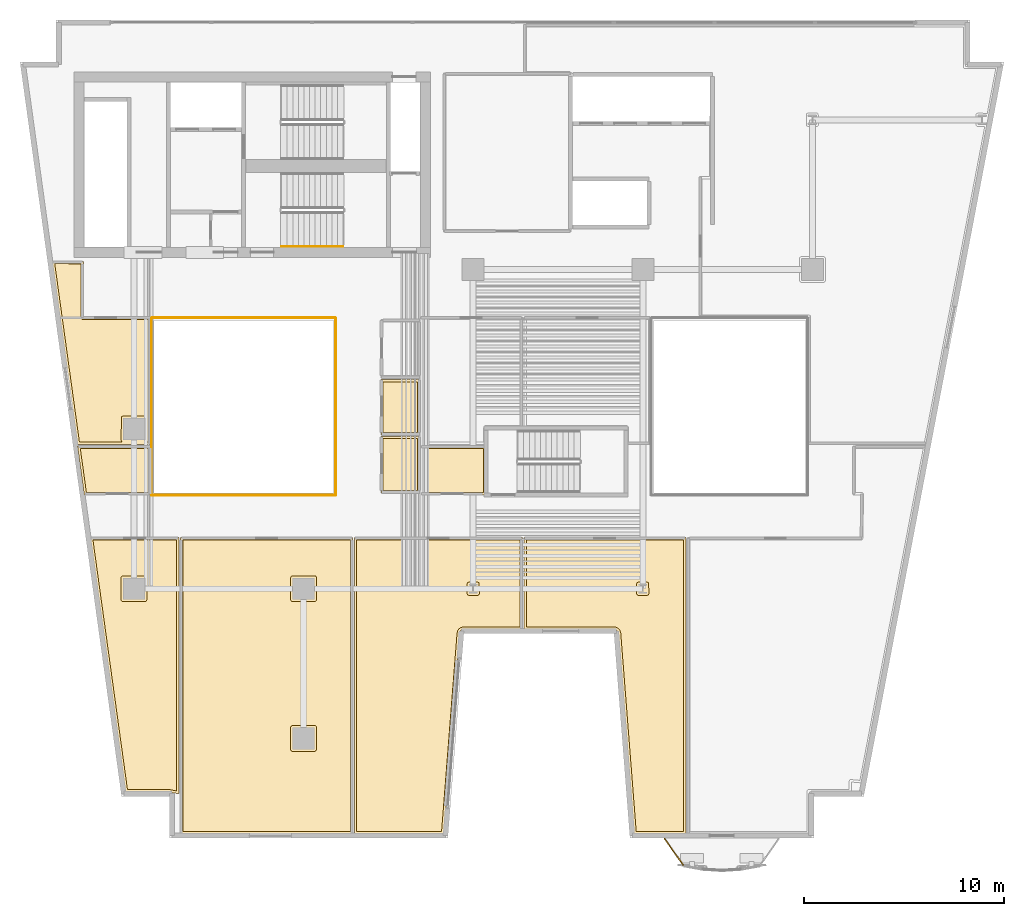
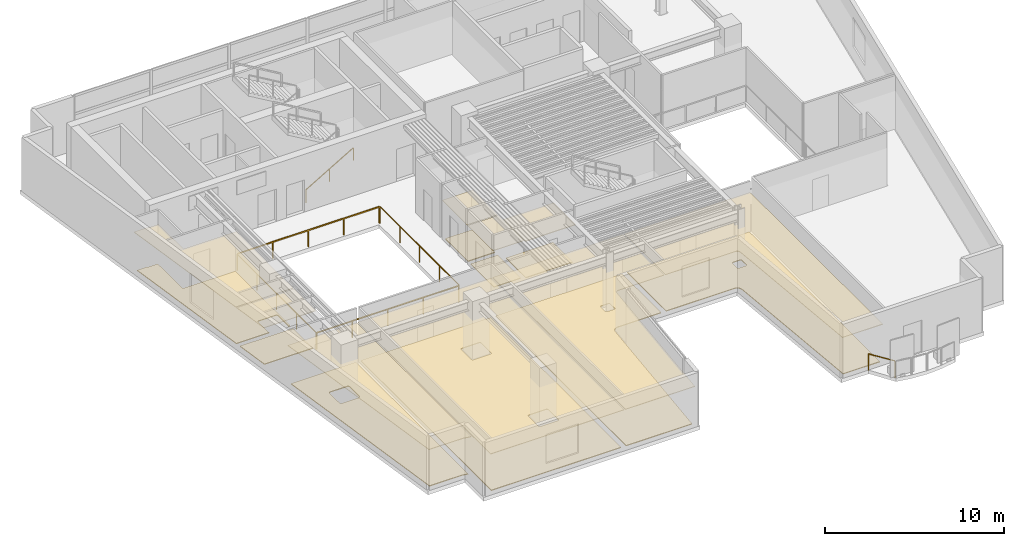
# One storey, part 9 of 12: 18 coverings, 6 railings.
"""IFC4 building model written with IfcOpenShell, lengths in metres."""

from ifc_helpers import new_model, si_unit, direction, frame, origin, origin_2d, place, context, subcontext, project, spatial, polyline, rectangle, outline, extrude, material, layer, layer_set, type_object, element, save


model = new_model("IFC4")

# Units and contexts
model_context = context("Model", 3, precision=1e-05, world=origin(), true_north=direction((0.0, 1.0)))
body_context = subcontext(model_context, "Body", "Model", "MODEL_VIEW")
ifc_project = project(units=[si_unit("LENGTHUNIT", "METRE"), si_unit("AREAUNIT", "SQUARE_METRE"), si_unit("VOLUMEUNIT", "CUBIC_METRE"), si_unit("PLANEANGLEUNIT", "RADIAN"), si_unit("MASSUNIT", "GRAM", prefix="KILO")], contexts=[model_context])

# Site, building, storey
site_placement = place(None, origin())
site = spatial("IfcSite", under=ifc_project, at=site_placement, CompositionType="ELEMENT")
building_placement = place(site_placement, origin())
building = spatial("IfcBuilding", under=site, at=building_placement, Name="Caeloran Harvest Quay", CompositionType="ELEMENT")
storey_placement = place(building_placement, frame((0.0, 0.0, 154.85009765625)))
storey = spatial("IfcBuildingStorey", under=building, at=storey_placement, Name="L36", CompositionType="ELEMENT", Elevation=154.85009765625)

# Coverings
ifc_material_1 = material(Name="Perforated Mineral-Fibre Acoustic Ceiling Tile", Category="ceiling")
ifc_layer_1 = layer(ifc_material_1, 0.0400390625, Name="Perforated Mineral-Fibre Acoustic Ceiling Tile")
ifc_layer_set_1 = layer_set([ifc_layer_1], Name="Perforated Mineral-Fibre Acoustic Ceiling Tile")
covering_type_1 = type_object("IfcCoveringType", Name="COV-CEILING-ACOUSTIC", PredefinedType="CEILING", material=ifc_layer_set_1)
covering_1_placement = place(storey_placement, frame((0.0, 0.0, 2.599853515625)))
element("IfcCovering", 1, at=covering_1_placement, inside=storey, type_object=covering_type_1, Name="L36 Female Washroom WC Acoustic Ceiling", PredefinedType="CEILING", context=body_context, shape_type="SweptSolid", body=[
    extrude(outline(polyline([(22.840087890625, 22.7099609375), (20.8701171875, 22.7099609375), (20.8701171875, 25.489990234375), (22.840087890625, 25.489990234375), (22.840087890625, 22.7099609375)])), origin(), (0.0, 0.0, 1.0), 0.0400390625),
])
covering_2_placement = place(storey_placement, frame((0.0, 0.0, 2.599853515625)))
element("IfcCovering", 2, at=covering_2_placement, inside=storey, type_object=covering_type_1, Name="L36 Accessible Unisex Washroom WC Acoustic Ceiling", PredefinedType="CEILING", context=body_context, shape_type="SweptSolid", body=[
    extrude(outline(polyline([(22.840087890625, 19.81005859375), (20.8701171875, 19.81005859375), (20.8701171875, 22.639892578125), (22.840087890625, 22.639892578125), (22.840087890625, 19.81005859375)])), origin(), (0.0, 0.0, 1.0), 0.0400390625),
])
covering_3_placement = place(storey_placement, frame((0.0, 0.0, 2.599853515625)))
element("IfcCovering", 3, at=covering_3_placement, inside=storey, type_object=covering_type_1, Name="Supply-Chain Digital Trading Floor Office Acoustic Ceiling", PredefinedType="CEILING", context=body_context, shape_type="SweptSolid", body=[
    extrude(outline(polyline([(19.4599609375, 2.719970703125), (10.840087890625, 2.719970703125), (10.840087890625, 17.56005859375), (19.4599609375, 17.56005859375), (19.4599609375, 2.719970703125)])), origin(), (0.0, 0.0, 1.0), 0.0400390625),
])
covering_4_placement = place(storey_placement, frame((0.0, 0.0, 2.599853515625)))
element("IfcCovering", 4, at=covering_4_placement, inside=storey, type_object=covering_type_1, Name="Climate Risk Modelling Office Acoustic Ceiling", PredefinedType="CEILING", context=body_context, shape_type="SweptSolid", body=[
    extrude(outline(polyline([(24.986572265625, 12.965576171875), (24.925048828125, 12.943359375), (24.8583984375, 12.887451171875), (24.810546875, 12.76611328125), (24.026611328125, 2.719970703125), (19.5400390625, 2.719970703125), (19.5400390625, 17.56005859375), (27.9599609375, 17.56005859375), (27.9599609375, 12.969970703125), (24.986572265625, 12.965576171875)])), origin(), (0.0, 0.0, 1.0), 0.0400390625),
])
covering_5_placement = place(storey_placement, frame((0.0, 0.0, 2.599853515625)))
element("IfcCovering", 5, at=covering_5_placement, inside=storey, type_object=covering_type_1, Name="Quantitative Analytics Office Acoustic Ceiling", PredefinedType="CEILING", context=body_context, shape_type="SweptSolid", body=[
    extrude(outline(polyline([(10.333740234375, 4.810546875), (8.0712890625, 4.820068359375), (6.309326171875, 17.56005859375), (10.760009765625, 17.56005859375), (10.760009765625, 4.729248046875), (10.390380859375, 4.783935546875), (10.333740234375, 4.810546875)])), origin(), (0.0, 0.0, 1.0), 0.0400390625),
])
covering_6_placement = place(storey_placement, frame((0.0, 0.0, 2.599853515625)))
element("IfcCovering", 6, at=covering_6_placement, inside=storey, type_object=covering_type_1, Name="Video-Conference Boardroom Acoustic Ceiling", PredefinedType="CEILING", context=body_context, shape_type="SweptSolid", body=[
    extrude(outline(polyline([(32.771484375, 12.788818359375), (32.739501953125, 12.86962890625), (32.696044921875, 12.918701171875), (32.61962890625, 12.960205078125), (32.553955078125, 12.969970703125), (28.0400390625, 12.969970703125), (28.0400390625, 17.56005859375), (36.159912109375, 17.56005859375), (36.159912109375, 2.719970703125), (33.55859375, 2.719970703125), (32.771484375, 12.788818359375)])), origin(), (0.0, 0.0, 1.0), 0.0400390625),
])
covering_7_placement = place(storey_placement, frame((0.0, 0.0, 2.599853515625)))
element("IfcCovering", 7, at=covering_7_placement, inside=storey, type_object=covering_type_1, Name="Executive Briefing Conference Room Acoustic Ceiling", PredefinedType="CEILING", context=body_context, shape_type="SweptSolid", body=[
    extrude(outline(polyline([(26.139892578125, 22.159912109375), (26.139892578125, 19.7099609375), (22.8701171875, 19.7099609375), (22.8701171875, 22.159912109375), (26.139892578125, 22.159912109375)])), origin(), (0.0, 0.0, 1.0), 0.0400390625),
])
covering_8_placement = place(storey_placement, frame((0.0, 0.0, 2.599853515625)))
element("IfcCovering", 8, at=covering_8_placement, inside=storey, type_object=covering_type_1, Name="Breakout Dining Kitchen Acoustic Ceiling", PredefinedType="CEILING", context=body_context, shape_type="SweptSolid", body=[
    extrude(outline(polyline([(5.67333984375, 22.159912109375), (9.360107421875, 22.159912109375), (9.360107421875, 19.7099609375), (6.01220703125, 19.7099609375), (5.67333984375, 22.159912109375)])), origin(), (0.0, 0.0, 1.0), 0.0400390625),
])
covering_9_placement = place(storey_placement, frame((0.0, 0.0, 2.599853515625)))
element("IfcCovering", 9, at=covering_9_placement, inside=storey, type_object=covering_type_1, Name="Climate Risk Modelling Office 10 Acoustic Ceiling", PredefinedType="CEILING", context=body_context, shape_type="SweptSolid", body=[
    extrude(outline(polyline([(5.9599609375, 31.389892578125), (5.9599609375, 28.610107421875), (9.360107421875, 28.610107421875), (9.360107421875, 22.239990234375), (5.662109375, 22.239990234375), (4.391357421875, 31.429931640625), (5.214599609375, 31.429931640625), (5.260009765625, 31.408447265625), (5.260009765625, 31.389892578125), (5.9599609375, 31.389892578125)])), origin(), (0.0, 0.0, 1.0), 0.0400390625),
])
ifc_material_2 = material(Name="Calcium-Sulphate Raised Access Floor and Terrazzo Finish", Category="flooring")
ifc_layer_2 = layer(ifc_material_2, 0.050048828125, Name="Calcium-Sulphate Raised Access Floor and Terrazzo Finish")
ifc_layer_set_2 = layer_set([ifc_layer_2], Name="Calcium-Sulphate Raised Access Floor and Terrazzo Finish")
covering_type_2 = type_object("IfcCoveringType", Name="COV-FLOOR-RAISED", PredefinedType="FLOORING", material=ifc_layer_set_2)
covering_10_placement = place(storey_placement, origin())
element("IfcCovering", 10, at=covering_10_placement, inside=storey, type_object=covering_type_2, Name="L36 Female Washroom WC Raised Finish Flooring", PredefinedType="FLOORING", context=body_context, shape_type="SweptSolid", body=[
    extrude(outline(polyline([(22.719970703125, 22.830078125), (20.989990234375, 22.830078125), (20.989990234375, 25.3701171875), (22.719970703125, 25.3701171875), (22.719970703125, 22.830078125)])), origin(), (0.0, 0.0, 1.0), 0.0498046875),
])
covering_11_placement = place(storey_placement, origin())
element("IfcCovering", 11, at=covering_11_placement, inside=storey, type_object=covering_type_2, Name="L36 Accessible Unisex Washroom WC Raised Finish Flooring", PredefinedType="FLOORING", context=body_context, shape_type="SweptSolid", body=[
    extrude(outline(polyline([(22.719970703125, 19.929931640625), (20.989990234375, 19.929931640625), (20.989990234375, 22.52001953125), (22.719970703125, 22.52001953125), (22.719970703125, 19.929931640625)])), origin(), (0.0, 0.0, 1.0), 0.0498046875),
])
covering_12_placement = place(storey_placement, origin())
element("IfcCovering", 12, at=covering_12_placement, inside=storey, type_object=covering_type_2, Name="Supply-Chain Digital Trading Floor Office Raised Finish Flooring", PredefinedType="FLOORING", context=body_context, shape_type="SweptSolid", body=[
    extrude(outline(polyline([(10.9599609375, 17.43994140625), (19.340087890625, 17.43994140625), (19.340087890625, 2.840087890625), (10.9599609375, 2.840087890625), (10.9599609375, 17.43994140625)]), holes=[polyline([(16.43505859375, 8.14501953125), (16.37841796875, 8.12158203125), (16.35498046875, 8.06494140625), (16.35498046875, 6.93505859375), (16.37841796875, 6.87841796875), (16.43505859375, 6.85498046875), (17.56494140625, 6.85498046875), (17.62158203125, 6.87841796875), (17.64501953125, 6.93505859375), (17.64501953125, 8.06494140625), (17.62158203125, 8.12158203125), (17.56494140625, 8.14501953125), (16.43505859375, 8.14501953125)]), polyline([(16.43505859375, 15.64501953125), (16.37841796875, 15.62158203125), (16.35498046875, 15.56494140625), (16.35498046875, 14.43505859375), (16.37841796875, 14.37841796875), (16.43505859375, 14.35498046875), (17.56494140625, 14.35498046875), (17.62158203125, 14.37841796875), (17.64501953125, 14.43505859375), (17.64501953125, 15.56494140625), (17.62158203125, 15.62158203125), (17.56494140625, 15.64501953125), (16.43505859375, 15.64501953125)])]), origin(), (0.0, 0.0, 1.0), 0.0498046875),
])
covering_13_placement = place(storey_placement, origin())
element("IfcCovering", 13, at=covering_13_placement, inside=storey, type_object=covering_type_2, Name="Climate Risk Modelling Office Raised Finish Flooring", PredefinedType="FLOORING", context=body_context, shape_type="SweptSolid", body=[
    extrude(outline(polyline([(25.000244140625, 13.088623046875), (24.89453125, 13.061767578125), (24.789794921875, 12.990478515625), (24.72607421875, 12.902099609375), (24.69140625, 12.780517578125), (23.91552734375, 2.840087890625), (19.659912109375, 2.840087890625), (19.659912109375, 17.43994140625), (27.840087890625, 17.43994140625), (27.840087890625, 13.090087890625), (25.000244140625, 13.088623046875)]), holes=[polyline([(25.806884765625, 14.748046875), (25.788818359375, 15.302734375), (25.73486328125, 15.33154296875), (25.27294921875, 15.33203125), (25.21630859375, 15.30859375), (25.193115234375, 15.251953125), (25.193115234375, 14.748046875), (25.21630859375, 14.69140625), (25.27294921875, 14.66796875), (25.72705078125, 14.66796875), (25.78369140625, 14.69140625), (25.806884765625, 14.748046875)])]), origin(), (0.0, 0.0, 1.0), 0.0498046875),
])
covering_14_placement = place(storey_placement, origin())
element("IfcCovering", 14, at=covering_14_placement, inside=storey, type_object=covering_type_2, Name="Quantitative Analytics Office Raised Finish Flooring", PredefinedType="FLOORING", context=body_context, shape_type="SweptSolid", body=[
    extrude(outline(polyline([(10.639892578125, 4.868408203125), (10.27001953125, 4.93994140625), (8.17578125, 4.93994140625), (6.447021484375, 17.43994140625), (10.639892578125, 17.43994140625), (10.639892578125, 4.868408203125)]), holes=[polyline([(7.93505859375, 15.64501953125), (7.87841796875, 15.62158203125), (7.85498046875, 15.56494140625), (7.85498046875, 14.43505859375), (7.87841796875, 14.37841796875), (7.93505859375, 14.35498046875), (9.06494140625, 14.35498046875), (9.12158203125, 14.37841796875), (9.14501953125, 14.43505859375), (9.14501953125, 15.56494140625), (9.12158203125, 15.62158203125), (9.06494140625, 15.64501953125), (7.93505859375, 15.64501953125)])]), origin(), (0.0, 0.0, 1.0), 0.0498046875),
])
covering_15_placement = place(storey_placement, origin())
element("IfcCovering", 15, at=covering_15_placement, inside=storey, type_object=covering_type_2, Name="Video-Conference Boardroom Raised Finish Flooring", PredefinedType="FLOORING", context=body_context, shape_type="SweptSolid", body=[
    extrude(outline(polyline([(32.89404296875, 12.776611328125), (32.85888671875, 12.902099609375), (32.795166015625, 12.990478515625), (32.6904296875, 13.061767578125), (32.584716796875, 13.088623046875), (28.159912109375, 13.090087890625), (28.159912109375, 17.43994140625), (36.0400390625, 17.43994140625), (36.0400390625, 2.840087890625), (33.66943359375, 2.840087890625), (32.89404296875, 12.776611328125)]), holes=[polyline([(34.306884765625, 14.748046875), (34.288818359375, 15.302734375), (34.23486328125, 15.33154296875), (33.77294921875, 15.33203125), (33.71630859375, 15.30859375), (33.693115234375, 15.251953125), (33.693115234375, 14.748046875), (33.71630859375, 14.69140625), (33.77294921875, 14.66796875), (34.22705078125, 14.66796875), (34.28369140625, 14.69140625), (34.306884765625, 14.748046875)])]), origin(), (0.0, 0.0, 1.0), 0.0498046875),
])
covering_16_placement = place(storey_placement, origin())
element("IfcCovering", 16, at=covering_16_placement, inside=storey, type_object=covering_type_2, Name="Executive Briefing Conference Room Raised Finish Flooring", PredefinedType="FLOORING", context=body_context, shape_type="SweptSolid", body=[
    extrude(outline(polyline([(26.02001953125, 22.0400390625), (26.02001953125, 19.830078125), (22.989990234375, 19.830078125), (22.989990234375, 22.0400390625), (26.02001953125, 22.0400390625)])), origin(), (0.0, 0.0, 1.0), 0.0498046875),
])
covering_17_placement = place(storey_placement, origin())
element("IfcCovering", 17, at=covering_17_placement, inside=storey, type_object=covering_type_2, Name="Breakout Dining Kitchen Raised Finish Flooring", PredefinedType="FLOORING", context=body_context, shape_type="SweptSolid", body=[
    extrude(outline(polyline([(5.81103515625, 22.0400390625), (9.239990234375, 22.0400390625), (9.239990234375, 19.830078125), (6.11669921875, 19.830078125), (5.81103515625, 22.0400390625)])), origin(), (0.0, 0.0, 1.0), 0.0498046875),
])
covering_18_placement = place(storey_placement, origin())
element("IfcCovering", 18, at=covering_18_placement, inside=storey, type_object=covering_type_2, Name="Climate Risk Modelling Office 10 Raised Finish Flooring", PredefinedType="FLOORING", context=body_context, shape_type="SweptSolid", body=[
    extrude(outline(polyline([(5.165283203125, 31.31005859375), (5.2431640625, 31.270263671875), (5.840087890625, 31.27001953125), (5.840087890625, 28.60009765625), (5.8857421875, 28.5107421875), (5.949951171875, 28.489990234375), (9.239990234375, 28.489990234375), (9.239990234375, 22.360107421875), (9.092529296875, 22.360107421875), (9.14501953125, 22.43505859375), (9.14501953125, 23.56494140625), (9.12158203125, 23.62158203125), (9.06494140625, 23.64501953125), (7.93505859375, 23.64501953125), (7.873291015625, 23.61572265625), (7.85498046875, 22.43505859375), (7.907470703125, 22.360107421875), (5.7666015625, 22.360107421875), (4.529052734375, 31.31005859375), (5.165283203125, 31.31005859375)])), origin(), (0.0, 0.0, 1.0), 0.0498046875),
])

# Railings
ifc_material_3 = material(Name="Powder-Coated Steel Post and Laminated Glass Guardrail", Category="steel")
ifc_layer_3 = layer(ifc_material_3, 0.06005859375, Name="Powder-Coated Steel Post and Laminated Glass Guardrail")
ifc_layer_set_3 = layer_set([ifc_layer_3], Name="Powder-Coated Steel Post and Laminated Glass Guardrail")
railing_type_1 = type_object("IfcRailingType", Name="GUARD-ATRIUM-1150", PredefinedType="GUARDRAIL", material=ifc_layer_set_3)
railing_1_placement = place(storey_placement, frame((9.412109375, 19.679931640625, 0.0)))
element("IfcRailing", 19, at=railing_1_placement, inside=storey, type_object=railing_type_1, Name="L36 Skylit Atrium Void Perimeter Guardrail Seg 1", PredefinedType="GUARDRAIL", context=body_context, shape_type="SweptSolid", body=[
    extrude(rectangle(XDim=0.048095703125, YDim=0.048095703125, at=origin_2d()), frame((0.0, 0.0, 1.1259765625), z_axis=(1.0, 0.0, 0.0), x_axis=(0.0, 1.0, 0.0)), (0.0, 0.0, 1.0), 9.17578125),
    extrude(rectangle(XDim=0.0419921875, YDim=0.0419921875, at=origin_2d()), origin(), (0.0, 0.0, 1.0), 1.101806640625),
    extrude(rectangle(XDim=0.0419921875, YDim=0.0419921875, at=origin_2d()), frame((2.2939453125, 0.0, 0.0)), (0.0, 0.0, 1.0), 1.101806640625),
    extrude(rectangle(XDim=0.0419921875, YDim=0.0419921875, at=origin_2d()), frame((4.587890625, 0.0, 0.0)), (0.0, 0.0, 1.0), 1.101806640625),
    extrude(rectangle(XDim=0.0419921875, YDim=0.0419921875, at=origin_2d()), frame((6.8818359375, 0.0, 0.0)), (0.0, 0.0, 1.0), 1.101806640625),
    extrude(rectangle(XDim=0.0419921875, YDim=0.0419921875, at=origin_2d()), frame((9.17578125, 0.0, 0.0)), (0.0, 0.0, 1.0), 1.101806640625),
])
railing_2_placement = place(storey_placement, frame((18.6201171875, 19.7119140625, 0.0)))
element("IfcRailing", 20, at=railing_2_placement, inside=storey, type_object=railing_type_1, Name="L36 Skylit Atrium Void Perimeter Guardrail Seg 2", PredefinedType="GUARDRAIL", context=body_context, shape_type="SweptSolid", body=[
    extrude(rectangle(XDim=0.048095703125, YDim=0.048095703125, at=origin_2d()), frame((0.0, 0.0, 1.1259765625), z_axis=(0.0, 1.0, 0.0), x_axis=(-1.0, 0.0, 0.0)), (0.0, 0.0, 1.0), 8.826171875),
    extrude(rectangle(XDim=0.0419921875, YDim=0.0419921875, at=origin_2d()), origin(), (0.0, 0.0, 1.0), 1.101806640625),
    extrude(rectangle(XDim=0.0419921875, YDim=0.0419921875, at=origin_2d()), frame((0.0, 2.20654296875, 0.0)), (0.0, 0.0, 1.0), 1.101806640625),
    extrude(rectangle(XDim=0.0419921875, YDim=0.0419921875, at=origin_2d()), frame((0.0, 4.4130859375, 0.0)), (0.0, 0.0, 1.0), 1.101806640625),
    extrude(rectangle(XDim=0.0419921875, YDim=0.0419921875, at=origin_2d()), frame((0.0, 6.61962890625, 0.0)), (0.0, 0.0, 1.0), 1.101806640625),
    extrude(rectangle(XDim=0.0419921875, YDim=0.0419921875, at=origin_2d()), frame((0.0, 8.826171875, 0.0)), (0.0, 0.0, 1.0), 1.101806640625),
])
railing_3_placement = place(storey_placement, frame((18.587890625, 28.570068359375, 0.0)))
element("IfcRailing", 21, at=railing_3_placement, inside=storey, type_object=railing_type_1, Name="L36 Skylit Atrium Void Perimeter Guardrail Seg 3", PredefinedType="GUARDRAIL", context=body_context, shape_type="SweptSolid", body=[
    extrude(rectangle(XDim=0.048095703125, YDim=0.048095703125, at=origin_2d()), frame((0.0, 0.0, 1.1259765625), z_axis=(-1.0, 0.0, 0.0), x_axis=(0.0, -1.0, 0.0)), (0.0, 0.0, 1.0), 9.17578125),
    extrude(rectangle(XDim=0.0419921875, YDim=0.0419921875, at=origin_2d()), origin(), (0.0, 0.0, 1.0), 1.101806640625),
    extrude(rectangle(XDim=0.0419921875, YDim=0.0419921875, at=origin_2d()), frame((-2.2939453125, 0.0, 0.0)), (0.0, 0.0, 1.0), 1.101806640625),
    extrude(rectangle(XDim=0.0419921875, YDim=0.0419921875, at=origin_2d()), frame((-4.587890625, 0.0, 0.0)), (0.0, 0.0, 1.0), 1.101806640625),
    extrude(rectangle(XDim=0.0419921875, YDim=0.0419921875, at=origin_2d()), frame((-6.8818359375, 0.0, 0.0)), (0.0, 0.0, 1.0), 1.101806640625),
    extrude(rectangle(XDim=0.0419921875, YDim=0.0419921875, at=origin_2d()), frame((-9.17578125, 0.0, 0.0)), (0.0, 0.0, 1.0), 1.101806640625),
])
railing_4_placement = place(storey_placement, frame((9.3798828125, 28.5380859375, 0.0)))
element("IfcRailing", 22, at=railing_4_placement, inside=storey, type_object=railing_type_1, Name="L36 Skylit Atrium Void Perimeter Guardrail Seg 4", PredefinedType="GUARDRAIL", context=body_context, shape_type="SweptSolid", body=[
    extrude(rectangle(XDim=0.048095703125, YDim=0.048095703125, at=origin_2d()), frame((0.0, 0.0, 1.1259765625), z_axis=(0.0, -1.0, 0.0), x_axis=(1.0, 0.0, 0.0)), (0.0, 0.0, 1.0), 8.826171875),
    extrude(rectangle(XDim=0.0419921875, YDim=0.0419921875, at=origin_2d()), origin(), (0.0, 0.0, 1.0), 1.101806640625),
    extrude(rectangle(XDim=0.0419921875, YDim=0.0419921875, at=origin_2d()), frame((0.0, -2.20654296875, 0.0)), (0.0, 0.0, 1.0), 1.101806640625),
    extrude(rectangle(XDim=0.0419921875, YDim=0.0419921875, at=origin_2d()), frame((0.0, -4.4130859375, 0.0)), (0.0, 0.0, 1.0), 1.101806640625),
    extrude(rectangle(XDim=0.0419921875, YDim=0.0419921875, at=origin_2d()), frame((0.0, -6.61962890625, 0.0)), (0.0, 0.0, 1.0), 1.101806640625),
    extrude(rectangle(XDim=0.0419921875, YDim=0.0419921875, at=origin_2d()), frame((0.0, -8.826171875, 0.0)), (0.0, 0.0, 1.0), 1.101806640625),
])
ifc_material_4 = material(Name="Laminated Safety Glass and Stainless Steel 316", Category="steel")
ifc_layer_4 = layer(ifc_material_4, 0.06005859375, Name="Laminated Safety Glass and Stainless Steel 316")
ifc_layer_set_4 = layer_set([ifc_layer_4], Name="Laminated Safety Glass and Stainless Steel 316")
railing_type_2 = type_object("IfcRailingType", Name="GUARD-BALUSTRADE-1150", PredefinedType="BALUSTRADE", material=ifc_layer_set_4)
railing_5_placement = place(storey_placement, frame((36.02685546875, 1.149658203125, 0.0)))
element("IfcRailing", 23, at=railing_5_placement, inside=storey, type_object=railing_type_2, Name="L36 Planted Balcony Perimeter Balustrade Guard Seg 6", PredefinedType="BALUSTRADE", context=body_context, shape_type="SweptSolid", body=[
    extrude(rectangle(XDim=0.048095703125, YDim=0.048095703125, at=origin_2d()), frame((0.0, 0.0, 1.1259765625), z_axis=(-0.576147163923, 0.817345976624, 0.0), x_axis=(-0.817345976624, -0.576147163923, 0.0)), (0.0, 0.0, 1.0), 1.627685546875),
    extrude(rectangle(XDim=0.0419921875, YDim=0.0419921875, at=origin_2d()), origin(), (0.0, 0.0, 1.0), 1.101806640625),
    extrude(rectangle(XDim=0.0419921875, YDim=0.0419921875, at=origin_2d()), frame((-0.937744140625, 1.330322265625, 0.0)), (0.0, 0.0, 1.0), 1.101806640625),
])
ifc_material_5 = material(Name="Brushed Stainless Steel Grade 304", Category="steel")
ifc_layer_5 = layer(ifc_material_5, 0.050048828125, Name="Brushed Stainless Steel Grade 304")
ifc_layer_set_5 = layer_set([ifc_layer_5], Name="Brushed Stainless Steel Grade 304")
railing_type_3 = type_object("IfcRailingType", Name="STAIR-HANDRAIL-900", PredefinedType="HANDRAIL", material=ifc_layer_set_5)
railing_6_placement = place(storey_placement, frame((15.89990234375, 32.14990234375, 0.16455078125)))
element("IfcRailing", 24, at=railing_6_placement, inside=storey, type_object=railing_type_3, Name="L36 ST-C2 stair handrail 1", PredefinedType="HANDRAIL", context=body_context, shape_type="SweptSolid", body=[
    extrude(rectangle(XDim=0.048095703125, YDim=0.048095703125, at=origin_2d()), frame((0.0, 0.0, 0.8759765625), z_axis=(0.862118610829, 0.0, 0.506706523406), x_axis=(0.0, 1.0, 0.0)), (0.0, 0.0, 1.0), 3.57275390625),
    extrude(rectangle(XDim=0.0419921875, YDim=0.0419921875, at=origin_2d()), origin(), (0.0, 0.0, 1.0), 0.851806640625),
    extrude(rectangle(XDim=0.0419921875, YDim=0.0419921875, at=origin_2d()), frame((1.5400390625, 0.0, 0.9052734375)), (0.0, 0.0, 1.0), 0.851806640625),
    extrude(rectangle(XDim=0.0419921875, YDim=0.0419921875, at=origin_2d()), frame((3.080078125, 0.0, 1.810302734375)), (0.0, 0.0, 1.0), 0.851806640625),
])

save(model, "model.ifc")
